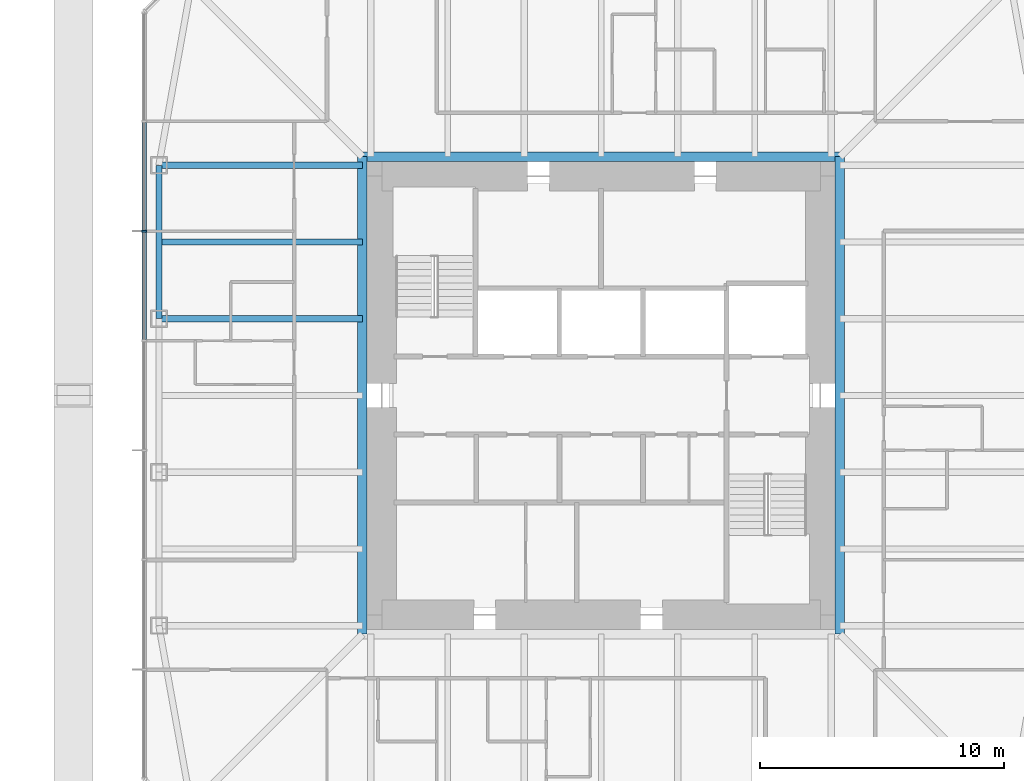
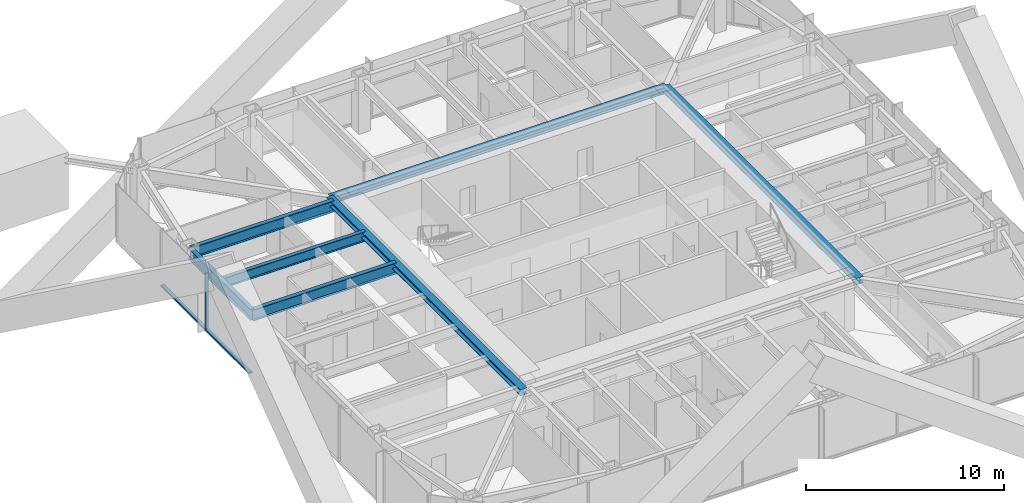
# One storey, part 3 of 13: 7 beams, 3 members, 1 element without a shape of its own.
"""IFC4 building model written with IfcOpenShell, lengths in metres."""

from ifc_helpers import new_model, si_unit, direction, frame, origin, origin_2d, place, context, subcontext, project, spatial, rectangle, i_section, extrude, material, material_profile, profile_set, type_object, element, aggregate, save


model = new_model("IFC4")

# Units and contexts
model_context = context("Model", 3, precision=1e-05, world=origin(), true_north=direction((0.0, 1.0)))
body_context = subcontext(model_context, "Body", "Model", "MODEL_VIEW")
ifc_project = project(units=[si_unit("LENGTHUNIT", "METRE"), si_unit("AREAUNIT", "SQUARE_METRE"), si_unit("VOLUMEUNIT", "CUBIC_METRE"), si_unit("PLANEANGLEUNIT", "RADIAN"), si_unit("MASSUNIT", "GRAM", prefix="KILO")], contexts=[model_context])

# Site, building, storey
site_placement = place(None, origin())
site = spatial("IfcSite", under=ifc_project, at=site_placement, CompositionType="ELEMENT")
building_placement = place(site_placement, origin())
building = spatial("IfcBuilding", under=site, at=building_placement, Name="Iwan Alto Co-Living Towers", CompositionType="ELEMENT")
storey_placement = place(building_placement, frame((0.0, 0.0, 184.5)))
storey = spatial("IfcBuildingStorey", under=building, at=storey_placement, Name="L50", CompositionType="ELEMENT", Elevation=184.5)

# Curtain wall, members
ifc_material_1 = material(Name="Bronze aluminium unitised frame", Category="aluminium")
curtain_wall_type = type_object("IfcCurtainWallType", Name="CURTAIN WALL CW-A", PredefinedType="NOTDEFINED", material=ifc_material_1)
curtain_wall_placement = place(storey_placement, origin())
curtain_wall = element("IfcCurtainWall", 1, at=curtain_wall_placement, inside=storey, type_object=curtain_wall_type, Name="T1 curtain wall W L50", PredefinedType="NOTDEFINED")
ifc_material_2 = material(Name="Aluminium 6063-T6 bronze anodised", Category="aluminium")
ifc_material_profile_1 = material_profile(ifc_material_2, rectangle(XDim=0.199951171875, YDim=0.080078125, at=origin_2d()), Name="AL 80X200")
ifc_profile_set_1 = profile_set([ifc_material_profile_1], Name="Aluminium 6063-T6 bronze anodised")
member_type_1 = type_object("IfcMemberType", Name="CW-A MULLION 80X200", PredefinedType="MULLION", material=ifc_profile_set_1)
member_1_placement = place(storey_placement, frame((-18.75, 6.75, 0.0), z_axis=(0.0, 0.0, 1.0), x_axis=(1.0, 0.0, 0.0)))
member_1 = element("IfcMember", 2, at=member_1_placement, type_object=member_type_1, Name="CW-A mullion 3", PredefinedType="MULLION", context=body_context, shape_type="SweptSolid", body=[
    extrude(rectangle(XDim=0.199951171875, YDim=0.080078125, at=origin_2d()), origin(), (0.0, 0.0, 1.0), 3.5),
])
ifc_material_3 = material(Name="Aluminium 6063-T6 bronze anodised", Category="aluminium")
ifc_material_profile_2 = material_profile(ifc_material_3, rectangle(XDim=0.199951171875, YDim=0.10009765625, at=origin_2d()), Name="AL 200X100")
ifc_profile_set_2 = profile_set([ifc_material_profile_2], Name="Aluminium 6063-T6 bronze anodised")
member_type_2 = type_object("IfcMemberType", Name="CW-A TRANSOM 200X100", PredefinedType="USERDEFINED", material=ifc_profile_set_2)
member_2_placement = place(storey_placement, frame((-18.75, 11.2099609375, 0.050048828125), z_axis=(0.0, -1.0, 0.0), x_axis=(1.0, 0.0, 0.0)))
member_2 = element("IfcMember", 3, at=member_2_placement, type_object=member_type_2, Name="CW-A transom 2.1", ObjectType="TRANSOM", PredefinedType="USERDEFINED", context=body_context, shape_type="SweptSolid", body=[
    extrude(rectangle(XDim=0.199951171875, YDim=0.10009765625, at=origin_2d()), origin(), (0.0, 0.0, 1.0), 4.419921875),
])
member_3_placement = place(storey_placement, frame((-18.75, 6.7099609375, 0.050048828125), z_axis=(0.0, -1.0, 0.0), x_axis=(1.0, 0.0, 0.0)))
member_3 = element("IfcMember", 4, at=member_3_placement, type_object=member_type_2, Name="CW-A transom 3.1", ObjectType="TRANSOM", PredefinedType="USERDEFINED", context=body_context, shape_type="SweptSolid", body=[
    extrude(rectangle(XDim=0.199951171875, YDim=0.10009765625, at=origin_2d()), origin(), (0.0, 0.0, 1.0), 4.419921875),
])
aggregate(curtain_wall, [member_1, member_2, member_3])

# Beams
ifc_material_4 = material(Name="Steel ASTM A992 Gr 50", Category="steel")
ifc_material_profile_3 = material_profile(ifc_material_4, i_section(OverallWidth=0.398681640625, OverallDepth=0.385986328125, WebThickness=0.02099609375, FlangeThickness=0.033203125, at=origin_2d()), Name="W14X176")
ifc_profile_set_3 = profile_set([ifc_material_profile_3], Name="Steel ASTM A992 Gr 50")
beam_type_1 = type_object("IfcBeamType", Name="T1 CORE LEDGER BEAM W14X176", PredefinedType="BEAM", material=ifc_profile_set_3)
for number, where, z_axis, x_axis, name in (
    (5, (9.79931640625, -9.79931640625, 3.076904296875), (0.0, 1.0, 0.0), (-1.0, 0.0, 0.0), "T1 core ledger beam E L51"),
    (6, (9.79931640625, 9.79931640625, 3.076904296875), (-1.0, 0.0, 0.0), (0.0, -1.0, 0.0), "T1 core ledger beam N L51"),
    (7, (-9.79931640625, 9.79931640625, 3.076904296875), (0.0, -1.0, 0.0), (1.0, 0.0, 0.0), "T1 core ledger beam W L51"),
):
    element("IfcBeam", number, at=place(storey_placement, frame(where, z_axis=z_axis, x_axis=x_axis)), inside=storey, type_object=beam_type_1, Name=name, PredefinedType="BEAM", context=body_context, shape_type="SweptSolid", body=[
        extrude(i_section(OverallWidth=0.398681640625, OverallDepth=0.385986328125, WebThickness=0.02099609375, FlangeThickness=0.033203125, at=origin_2d()), origin(), (0.0, 0.0, 1.0), 19.5986328125),
    ])
ifc_material_5 = material(Name="Steel ASTM A992 Gr 50", Category="steel")
ifc_material_profile_4 = material_profile(ifc_material_5, i_section(OverallWidth=0.25390625, OverallDepth=0.683349609375, WebThickness=0.012451171875, FlangeThickness=0.018798828125, at=origin_2d()), Name="W27X94")
ifc_profile_set_4 = profile_set([ifc_material_profile_4], Name="Steel ASTM A992 Gr 50")
beam_type_2 = type_object("IfcBeamType", Name="T1 EDGE BEAM W27X94", PredefinedType="BEAM", material=ifc_profile_set_4)
beam_1_placement = place(storey_placement, frame((-18.14990234375, 9.449951171875, 2.928466796875), z_axis=(0.0, -1.0, 0.0), x_axis=(1.0, 0.0, 0.0)))
element("IfcBeam", 8, at=beam_1_placement, inside=storey, type_object=beam_type_2, Name="T1 edge beam W1 L51", PredefinedType="BEAM", context=body_context, shape_type="SweptSolid", body=[
    extrude(i_section(OverallWidth=0.25390625, OverallDepth=0.683349609375, WebThickness=0.012451171875, FlangeThickness=0.018798828125, at=origin_2d()), origin(), (0.0, 0.0, 1.0), 6.300048828125),
])
ifc_material_6 = material(Name="Steel ASTM A992 Gr 50", Category="steel")
ifc_material_profile_5 = material_profile(ifc_material_6, i_section(OverallWidth=0.25390625, OverallDepth=0.683349609375, WebThickness=0.012451171875, FlangeThickness=0.018798828125, at=origin_2d()), Name="W27X94")
ifc_profile_set_5 = profile_set([ifc_material_profile_5], Name="Steel ASTM A992 Gr 50")
beam_type_3 = type_object("IfcBeamType", Name="T1 RADIAL BEAM W27X94", PredefinedType="BEAM", material=ifc_profile_set_5)
for number, where, z_axis, x_axis, name in (
    (9, (-18.14990234375, 9.449951171875, 2.928466796875), (1.0, 0.0, 0.0), (0.0, 1.0, 0.0), "T1 radial beam W1 L51"),
    (10, (-18.14990234375, 3.14990234375, 2.928466796875), (1.0, 0.0, 0.0), (0.0, 1.0, 0.0), "T1 radial beam W2 L51"),
):
    element("IfcBeam", number, at=place(storey_placement, frame(where, z_axis=z_axis, x_axis=x_axis)), inside=storey, type_object=beam_type_3, Name=name, PredefinedType="BEAM", context=body_context, shape_type="SweptSolid", body=[
        extrude(i_section(OverallWidth=0.25390625, OverallDepth=0.683349609375, WebThickness=0.012451171875, FlangeThickness=0.018798828125, at=origin_2d()), origin(), (0.0, 0.0, 1.0), 8.3505859375),
    ])
ifc_material_7 = material(Name="Steel ASTM A992 Gr 50", Category="steel")
ifc_material_profile_6 = material_profile(ifc_material_7, i_section(OverallWidth=0.228271484375, OverallDepth=0.607177734375, WebThickness=0.01123046875, FlangeThickness=0.017333984375, at=origin_2d()), Name="W24X76")
ifc_profile_set_6 = profile_set([ifc_material_profile_6], Name="Steel ASTM A992 Gr 50")
beam_type_4 = type_object("IfcBeamType", Name="T1 SECONDARY BEAM W24X76", PredefinedType="JOIST", material=ifc_profile_set_6)
beam_2_placement = place(storey_placement, frame((-18.14990234375, 6.300048828125, 2.966552734375), z_axis=(1.0, 0.0, 0.0), x_axis=(0.0, 1.0, 0.0)))
element("IfcBeam", 11, at=beam_2_placement, inside=storey, type_object=beam_type_4, Name="T1 secondary beam W1 L51", PredefinedType="JOIST", context=body_context, shape_type="SweptSolid", body=[
    extrude(i_section(OverallWidth=0.228271484375, OverallDepth=0.607177734375, WebThickness=0.01123046875, FlangeThickness=0.017333984375, at=origin_2d()), origin(), (0.0, 0.0, 1.0), 8.3505859375),
])

save(model, "model.ifc")
